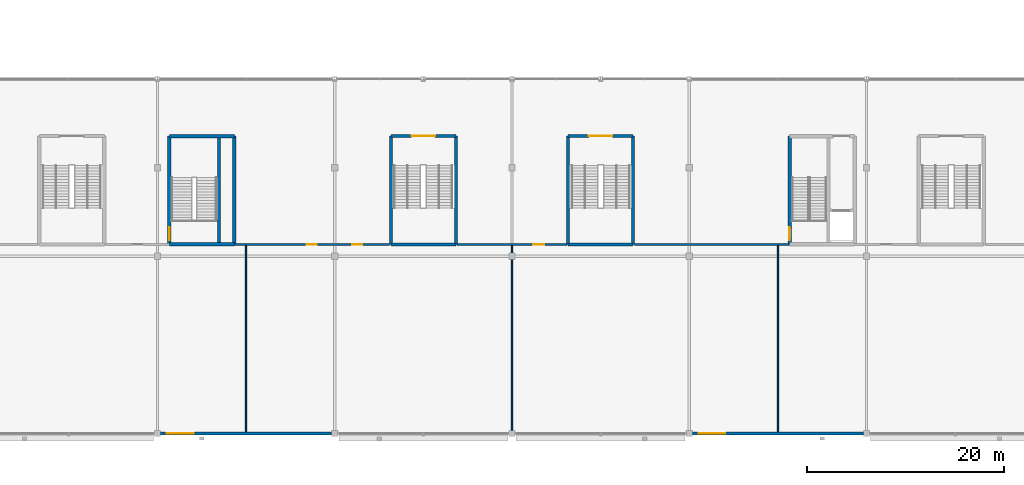
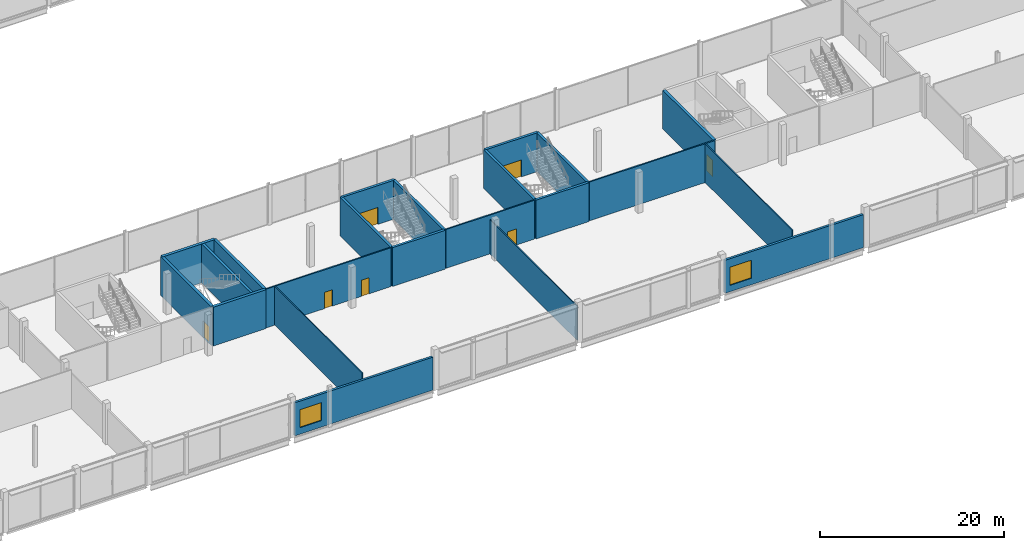
# One storey, part 60 of 111: 22 walls, 7 doors, 2 windows, 9 openings.
"""IFC4 building model written with IfcOpenShell, lengths in metres."""

from ifc_helpers import new_model, si_unit, direction, frame, frame_2d, origin, place, context, subcontext, project, spatial, rectangle, extrude, material, layer, layer_set, type_object, element, fill, save


model = new_model("IFC4")

# Units and contexts
model_context = context("Model", 3, precision=1e-05, world=origin(), true_north=direction((0.0, 1.0)))
body_context = subcontext(model_context, "Body", "Model", "MODEL_VIEW")
ifc_project = project(units=[si_unit("LENGTHUNIT", "METRE"), si_unit("AREAUNIT", "SQUARE_METRE"), si_unit("VOLUMEUNIT", "CUBIC_METRE"), si_unit("PLANEANGLEUNIT", "RADIAN"), si_unit("MASSUNIT", "GRAM", prefix="KILO")], contexts=[model_context])

# Site, building, storey
site_placement = place(None, origin())
site = spatial("IfcSite", under=ifc_project, at=site_placement, CompositionType="ELEMENT")
building_placement = place(site_placement, origin())
building = spatial("IfcBuilding", under=site, at=building_placement, Name="Kisiwana Market Hall", CompositionType="ELEMENT")
storey_placement = place(building_placement, frame((0.0, 0.0, 11.39990234375)))
storey = spatial("IfcBuildingStorey", under=building, at=storey_placement, Name="L02", CompositionType="ELEMENT", Elevation=11.39990234375)

# Walls
ifc_material_1 = material(Name="Concrete C40/50", Category="concrete")
ifc_layer_1 = layer(ifc_material_1, 0.320068359375, Name="Reinforced concrete shaft wall")
ifc_layer_set_1 = layer_set([ifc_layer_1], Name="WL-CORE-320")
wall_type_1 = type_object("IfcWallType", Name="WL-CORE-320", PredefinedType="SHEAR", material=ifc_layer_set_1)
wall_1_placement = place(storey_placement, frame((69.239990234375, 19.3798828125, 0.0), z_axis=(0.0, 0.0, 1.0), x_axis=(0.0, 1.0, 0.0)))
element("IfcWall", 1, at=wall_1_placement, inside=storey, type_object=wall_type_1, Name="Core S1 shaft divider W-0958", PredefinedType="SHEAR", context=body_context, shape_type="SweptSolid", body=[
    extrude(rectangle(XDim=10.64013671875, YDim=0.320068359375, at=frame_2d((5.320068359375, 0.0))), origin(), (0.0, 0.0, 1.0), 5.150146484375),
])
wall_2_placement = place(storey_placement, frame((86.699951171875, 19.199951171875, 0.0), z_axis=(0.0, 0.0, 1.0), x_axis=(1.0, 0.0, 0.0)))
element("IfcWall", 2, at=wall_2_placement, inside=storey, type_object=wall_type_1, Name="Core S4 outer shear wall W-1048", PredefinedType="SHEAR", context=body_context, shape_type="SweptSolid", body=[
    extrude(rectangle(XDim=6.60009765625, YDim=0.320068359375, at=frame_2d((3.300048828125, 0.0))), origin(), (0.0, 0.0, 1.0), 5.150146484375),
])

# Wall, opening, door
wall_3_placement = place(storey_placement, frame((86.699951171875, 30.199951171875, 0.0), z_axis=(0.0, 0.0, 1.0), x_axis=(1.0, 0.0, 0.0)))
wall_3 = element("IfcWall", 3, at=wall_3_placement, inside=storey, type_object=wall_type_1, Name="Core S4 corridor shear wall W-1049", PredefinedType="SHEAR", context=body_context, shape_type="SweptSolid", body=[
    extrude(rectangle(XDim=6.60009765625, YDim=0.320068359375, at=frame_2d((3.300048828125, 0.0))), origin(), (0.0, 0.0, 1.0), 5.150146484375),
])
opening_1_placement = place(wall_3_placement, frame((2.10009765625, 0.0, 0.0)))
opening_1 = element("IfcOpeningElement", 4, at=opening_1_placement, cuts=wall_3, Name="Opening DR-L02-037", PredefinedType="OPENING", context=body_context, shape_type="SweptSolid", body=[
    extrude(rectangle(XDim=2.39990234375, YDim=2.25, at=frame_2d((1.199951171875, 1.125))), frame((0.0, 0.171875, 0.0), z_axis=(0.0, -1.0, 0.0), x_axis=(1.0, 0.0, 0.0)), (0.0, 0.0, 1.0), 0.343994140625),
])
ifc_material_2 = material(Name="Steel S275", Category="steel")
door_type_1 = type_object("IfcDoorType", Name="DR-STAIR-FD120-2400", OperationType="DOUBLE_DOOR_SINGLE_SWING", PredefinedType="DOOR", material=ifc_material_2)
door_1_placement = place(opening_1_placement, frame((2.39990234375, 0.0, 0.0), z_axis=(0.0, 0.0, 1.0), x_axis=(-1.0, 0.0, 0.0)))
door_1 = element("IfcDoor", 5, at=door_1_placement, inside=storey, type_object=door_type_1, Name="Escape Stair S4 Fire Door (L02)", OperationType="DOUBLE_DOOR_SINGLE_SWING", OverallHeight=2.25, OverallWidth=2.39990234375, PredefinedType="DOOR", context=body_context, shape_type="SweptSolid", body=[
    extrude(rectangle(XDim=2.39990234375, YDim=2.25, at=frame_2d((1.199951171875, 1.125))), frame((0.0, 0.02490234375, 0.0), z_axis=(0.0, -1.0, 0.0), x_axis=(1.0, 0.0, 0.0)), (0.0, 0.0, 1.0), 0.050048828125),
])
fill(opening_1, door_1)

# Walls
for number, where, z_axis, x_axis, name in (
    (6, (86.699951171875, 19.199951171875, 0.0), (0.0, 0.0, 1.0), (0.0, 1.0, 0.0), "Core S4 west shear wall W-1050"),
    (7, (93.300048828125, 19.199951171875, 0.0), (0.0, 0.0, 1.0), (0.0, 1.0, 0.0), "Core S4 east shear wall W-1051"),
):
    element("IfcWall", number, at=place(storey_placement, frame(where, z_axis=z_axis, x_axis=x_axis)), inside=storey, type_object=wall_type_1, Name=name, PredefinedType="SHEAR", context=body_context, shape_type="SweptSolid", body=[
        extrude(rectangle(XDim=11.0, YDim=0.320068359375, at=frame_2d((5.5, 0.0))), origin(), (0.0, 0.0, 1.0), 5.150146484375),
    ])
wall_4_placement = place(storey_placement, frame((104.699951171875, 19.199951171875, 0.0), z_axis=(0.0, 0.0, 1.0), x_axis=(1.0, 0.0, 0.0)))
element("IfcWall", 8, at=wall_4_placement, inside=storey, type_object=wall_type_1, Name="Core S5 outer shear wall W-1056", PredefinedType="SHEAR", context=body_context, shape_type="SweptSolid", body=[
    extrude(rectangle(XDim=6.60009765625, YDim=0.320068359375, at=frame_2d((3.300048828125, 0.0))), origin(), (0.0, 0.0, 1.0), 5.150146484375),
])

# Wall, opening, door
wall_5_placement = place(storey_placement, frame((104.699951171875, 30.199951171875, 0.0), z_axis=(0.0, 0.0, 1.0), x_axis=(1.0, 0.0, 0.0)))
wall_5 = element("IfcWall", 9, at=wall_5_placement, inside=storey, type_object=wall_type_1, Name="Core S5 corridor shear wall W-1057", PredefinedType="SHEAR", context=body_context, shape_type="SweptSolid", body=[
    extrude(rectangle(XDim=6.60009765625, YDim=0.320068359375, at=frame_2d((3.300048828125, 0.0))), origin(), (0.0, 0.0, 1.0), 5.150146484375),
])
opening_2_placement = place(wall_5_placement, frame((2.10009765625, 0.0, 0.0)))
opening_2 = element("IfcOpeningElement", 10, at=opening_2_placement, cuts=wall_5, Name="Opening DR-L02-039", PredefinedType="OPENING", context=body_context, shape_type="SweptSolid", body=[
    extrude(rectangle(XDim=2.39990234375, YDim=2.25, at=frame_2d((1.199951171875, 1.125))), frame((0.0, 0.171875, 0.0), z_axis=(0.0, -1.0, 0.0), x_axis=(1.0, 0.0, 0.0)), (0.0, 0.0, 1.0), 0.343994140625),
])
door_2_placement = place(opening_2_placement, frame((2.39990234375, 0.0, 0.0), z_axis=(0.0, 0.0, 1.0), x_axis=(-1.0, 0.0, 0.0)))
door_2 = element("IfcDoor", 11, at=door_2_placement, inside=storey, type_object=door_type_1, Name="Escape Stair S5 Fire Door (L02)", OperationType="DOUBLE_DOOR_SINGLE_SWING", OverallHeight=2.25, OverallWidth=2.39990234375, PredefinedType="DOOR", context=body_context, shape_type="SweptSolid", body=[
    extrude(rectangle(XDim=2.39990234375, YDim=2.25, at=frame_2d((1.199951171875, 1.125))), frame((0.0, 0.02490234375, 0.0), z_axis=(0.0, -1.0, 0.0), x_axis=(1.0, 0.0, 0.0)), (0.0, 0.0, 1.0), 0.050048828125),
])
fill(opening_2, door_2)

# Walls
for number, where, z_axis, x_axis, name in (
    (12, (104.699951171875, 19.199951171875, 0.0), (0.0, 0.0, 1.0), (0.0, 1.0, 0.0), "Core S5 west shear wall W-1058"),
    (13, (111.300048828125, 19.199951171875, 0.0), (0.0, 0.0, 1.0), (0.0, 1.0, 0.0), "Core S5 east shear wall W-1059"),
):
    element("IfcWall", number, at=place(storey_placement, frame(where, z_axis=z_axis, x_axis=x_axis)), inside=storey, type_object=wall_type_1, Name=name, PredefinedType="SHEAR", context=body_context, shape_type="SweptSolid", body=[
        extrude(rectangle(XDim=11.0, YDim=0.320068359375, at=frame_2d((5.5, 0.0))), origin(), (0.0, 0.0, 1.0), 5.150146484375),
    ])
ifc_material_3 = material(Name="Concrete C40/50", Category="concrete")
ifc_layer_2 = layer(ifc_material_3, 0.360107421875, Name="Reinforced concrete core wall")
ifc_layer_set_2 = layer_set([ifc_layer_2], Name="WL-CORE-360")
wall_type_2 = type_object("IfcWallType", Name="WL-CORE-360", PredefinedType="SHEAR", material=ifc_layer_set_2)
for number, where, z_axis, x_axis, name in (
    (14, (64.199951171875, 19.199951171875, 0.0), (0.0, 0.0, 1.0), (1.0, 0.0, 0.0), "Core S1 south wall W-0954"),
    (15, (64.199951171875, 30.199951171875, 0.0), (0.0, 0.0, 1.0), (1.0, 0.0, 0.0), "Core S1 north wall W-0955"),
):
    element("IfcWall", number, at=place(storey_placement, frame(where, z_axis=z_axis, x_axis=x_axis)), inside=storey, type_object=wall_type_2, Name=name, PredefinedType="SHEAR", context=body_context, shape_type="SweptSolid", body=[
        extrude(rectangle(XDim=6.60009765625, YDim=0.360107421875, at=frame_2d((3.300048828125, 0.0))), origin(), (0.0, 0.0, 1.0), 5.150146484375),
    ])

# Wall, opening, door
wall_6_placement = place(storey_placement, frame((64.199951171875, 19.199951171875, 0.0), z_axis=(0.0, 0.0, 1.0), x_axis=(0.0, 1.0, 0.0)))
wall_6 = element("IfcWall", 16, at=wall_6_placement, inside=storey, type_object=wall_type_2, Name="Core S1 west wall W-0956", PredefinedType="SHEAR", context=body_context, shape_type="SweptSolid", body=[
    extrude(rectangle(XDim=11.0, YDim=0.360107421875, at=frame_2d((5.5, 0.0))), origin(), (0.0, 0.0, 1.0), 5.150146484375),
])
opening_3_placement = place(wall_6_placement, frame((0.449951171875, 0.0, 0.0)))
opening_3 = element("IfcOpeningElement", 17, at=opening_3_placement, cuts=wall_6, Name="Opening DR-L02-013", PredefinedType="OPENING", context=body_context, shape_type="SweptSolid", body=[
    extrude(rectangle(XDim=1.300048828125, YDim=2.199951171875, at=frame_2d((0.64990234375, 1.10009765625))), frame((0.0, 0.19189453125, 0.0), z_axis=(0.0, -1.0, 0.0), x_axis=(1.0, 0.0, 0.0)), (0.0, 0.0, 1.0), 0.384033203125),
])
ifc_material_4 = material(Name="Steel S275", Category="steel")
door_type_2 = type_object("IfcDoorType", Name="DR-STAIR-FD120-1300", OperationType="NOTDEFINED", PredefinedType="DOOR", material=ifc_material_4)
door_3_placement = place(opening_3_placement, origin())
door_3 = element("IfcDoor", 18, at=door_3_placement, inside=storey, type_object=door_type_2, Name="Podium Escape Stair S1 Fire Door (L02)", OperationType="SINGLE_SWING_LEFT", OverallHeight=2.199951171875, OverallWidth=1.300048828125, PredefinedType="DOOR", context=body_context, shape_type="SweptSolid", body=[
    extrude(rectangle(XDim=1.300048828125, YDim=2.199951171875, at=frame_2d((0.64990234375, 1.10009765625))), frame((0.0, 0.02490234375, 0.0), z_axis=(0.0, -1.0, 0.0), x_axis=(1.0, 0.0, 0.0)), (0.0, 0.0, 1.0), 0.050048828125),
])
fill(opening_3, door_3)

# Wall
wall_7_placement = place(storey_placement, frame((70.800048828125, 19.199951171875, 0.0), z_axis=(0.0, 0.0, 1.0), x_axis=(0.0, 1.0, 0.0)))
element("IfcWall", 19, at=wall_7_placement, inside=storey, type_object=wall_type_2, Name="Core S1 east wall W-0957", PredefinedType="SHEAR", context=body_context, shape_type="SweptSolid", body=[
    extrude(rectangle(XDim=11.0, YDim=0.360107421875, at=frame_2d((5.5, 0.0))), origin(), (0.0, 0.0, 1.0), 5.150146484375),
])

# Wall, opening, door
wall_8_placement = place(storey_placement, frame((127.199951171875, 19.199951171875, 0.0), z_axis=(0.0, 0.0, 1.0), x_axis=(0.0, 1.0, 0.0)))
wall_8 = element("IfcWall", 20, at=wall_8_placement, inside=storey, type_object=wall_type_2, Name="Core S2 west wall W-0961", PredefinedType="SHEAR", context=body_context, shape_type="SweptSolid", body=[
    extrude(rectangle(XDim=11.0, YDim=0.360107421875, at=frame_2d((5.5, 0.0))), origin(), (0.0, 0.0, 1.0), 5.150146484375),
])
opening_4_placement = place(wall_8_placement, frame((0.449951171875, 0.0, 0.0)))
opening_4 = element("IfcOpeningElement", 21, at=opening_4_placement, cuts=wall_8, Name="Opening DR-L02-014", PredefinedType="OPENING", context=body_context, shape_type="SweptSolid", body=[
    extrude(rectangle(XDim=1.300048828125, YDim=2.199951171875, at=frame_2d((0.64990234375, 1.10009765625))), frame((0.0, 0.19189453125, 0.0), z_axis=(0.0, -1.0, 0.0), x_axis=(1.0, 0.0, 0.0)), (0.0, 0.0, 1.0), 0.384033203125),
])
door_4_placement = place(opening_4_placement, origin())
door_4 = element("IfcDoor", 22, at=door_4_placement, inside=storey, type_object=door_type_2, Name="Podium Escape Stair S2 Fire Door (L02)", OperationType="SINGLE_SWING_LEFT", OverallHeight=2.199951171875, OverallWidth=1.300048828125, PredefinedType="DOOR", context=body_context, shape_type="SweptSolid", body=[
    extrude(rectangle(XDim=1.300048828125, YDim=2.199951171875, at=frame_2d((0.64990234375, 1.10009765625))), frame((0.0, 0.02490234375, 0.0), z_axis=(0.0, -1.0, 0.0), x_axis=(1.0, 0.0, 0.0)), (0.0, 0.0, 1.0), 0.050048828125),
])
fill(opening_4, door_4)

# Wall, openings, doors
ifc_material_5 = material(Name="Masonry blockwork", Category="masonry")
ifc_layer_3 = layer(ifc_material_5, 0.169921875, Name="Protected corridor partition")
ifc_layer_set_3 = layer_set([ifc_layer_3], Name="WL-CORR-170")
wall_type_3 = type_object("IfcWallType", Name="WL-CORR-170", PredefinedType="PARTITIONING", material=ifc_layer_set_3)
wall_9_placement = place(storey_placement, frame((70.800048828125, 19.199951171875, 0.0), z_axis=(0.0, 0.0, 1.0), x_axis=(1.0, 0.0, 0.0)))
wall_9 = element("IfcWall", 23, at=wall_9_placement, inside=storey, type_object=wall_type_3, Name="Interior partition W-1172", PredefinedType="PARTITIONING", context=body_context, shape_type="SweptSolid", body=[
    extrude(rectangle(XDim=15.739990234375, YDim=0.169921875, at=frame_2d((7.8701171875, 0.0))), origin(), (0.0, 0.0, 1.0), 5.150146484375),
])
opening_5_placement = place(wall_9_placement, frame((12.0, 0.0, 0.0)))
opening_5 = element("IfcOpeningElement", 24, at=opening_5_placement, cuts=wall_9, Name="Opening DR-L02-088", PredefinedType="OPENING", context=body_context, shape_type="SweptSolid", body=[
    extrude(rectangle(XDim=1.0, YDim=2.14990234375, at=frame_2d((0.5, 1.074951171875))), frame((0.0, 0.096923828125, 0.0), z_axis=(0.0, -1.0, 0.0), x_axis=(1.0, 0.0, 0.0)), (0.0, 0.0, 1.0), 0.19384765625),
])
opening_6_placement = place(wall_9_placement, frame((7.3701171875, 0.0, 0.0)))
opening_6 = element("IfcOpeningElement", 25, at=opening_6_placement, cuts=wall_9, Name="Opening DR-L02-089", PredefinedType="OPENING", context=body_context, shape_type="SweptSolid", body=[
    extrude(rectangle(XDim=1.0, YDim=2.14990234375, at=frame_2d((0.5, 1.074951171875))), frame((0.0, 0.096923828125, 0.0), z_axis=(0.0, -1.0, 0.0), x_axis=(1.0, 0.0, 0.0)), (0.0, 0.0, 1.0), 0.19384765625),
])
ifc_material_6 = material(Name="Aluminium alloy 6063-T6", Category="aluminium")
door_type_3 = type_object("IfcDoorType", Name="DR-OFF-1000", OperationType="NOTDEFINED", PredefinedType="DOOR", material=ifc_material_6)
door_5_placement = place(opening_5_placement, origin())
door_5 = element("IfcDoor", 26, at=door_5_placement, inside=storey, type_object=door_type_3, Name="L02 Guild S2 Door", OperationType="SINGLE_SWING_RIGHT", OverallHeight=2.14990234375, OverallWidth=1.0, PredefinedType="DOOR", context=body_context, shape_type="SweptSolid", body=[
    extrude(rectangle(XDim=1.0, YDim=2.14990234375, at=frame_2d((0.5, 1.074951171875))), frame((0.0, 0.02490234375, 0.0), z_axis=(0.0, -1.0, 0.0), x_axis=(1.0, 0.0, 0.0)), (0.0, 0.0, 1.0), 0.050048828125),
])
fill(opening_5, door_5)
door_6_placement = place(opening_6_placement, origin())
door_6 = element("IfcDoor", 27, at=door_6_placement, inside=storey, type_object=door_type_3, Name="L02 Guild S3 Door", OperationType="SINGLE_SWING_RIGHT", OverallHeight=2.14990234375, OverallWidth=1.0, PredefinedType="DOOR", context=body_context, shape_type="SweptSolid", body=[
    extrude(rectangle(XDim=1.0, YDim=2.14990234375, at=frame_2d((0.5, 1.074951171875))), frame((0.0, 0.02490234375, 0.0), z_axis=(0.0, -1.0, 0.0), x_axis=(1.0, 0.0, 0.0)), (0.0, 0.0, 1.0), 0.050048828125),
])
fill(opening_6, door_6)

# Wall, opening, door
wall_10_placement = place(storey_placement, frame((93.4599609375, 19.199951171875, 0.0), z_axis=(0.0, 0.0, 1.0), x_axis=(1.0, 0.0, 0.0)))
wall_10 = element("IfcWall", 28, at=wall_10_placement, inside=storey, type_object=wall_type_3, Name="Interior partition W-1173", PredefinedType="PARTITIONING", context=body_context, shape_type="SweptSolid", body=[
    extrude(rectangle(XDim=11.080078125, YDim=0.169921875, at=frame_2d((5.5400390625, 0.0))), origin(), (0.0, 0.0, 1.0), 5.150146484375),
])
opening_7_placement = place(wall_10_placement, frame((7.68994140625, 0.0, 0.0)))
opening_7 = element("IfcOpeningElement", 29, at=opening_7_placement, cuts=wall_10, Name="Opening DR-L02-090", PredefinedType="OPENING", context=body_context, shape_type="SweptSolid", body=[
    extrude(rectangle(XDim=1.14990234375, YDim=2.14990234375, at=frame_2d((0.574951171875, 1.074951171875))), frame((0.0, 0.096923828125, 0.0), z_axis=(0.0, -1.0, 0.0), x_axis=(1.0, 0.0, 0.0)), (0.0, 0.0, 1.0), 0.19384765625),
])
ifc_material_7 = material(Name="Aluminium alloy 6063-T6", Category="aluminium")
door_type_4 = type_object("IfcDoorType", Name="DR-MEET-1150", OperationType="NOTDEFINED", PredefinedType="DOOR", material=ifc_material_7)
door_7_placement = place(opening_7_placement, origin())
door_7 = element("IfcDoor", 30, at=door_7_placement, inside=storey, type_object=door_type_4, Name="L02 E Trade Guild Office S3 Door", OperationType="SINGLE_SWING_RIGHT", OverallHeight=2.14990234375, OverallWidth=1.14990234375, PredefinedType="DOOR", context=body_context, shape_type="SweptSolid", body=[
    extrude(rectangle(XDim=1.14990234375, YDim=2.14990234375, at=frame_2d((0.574951171875, 1.074951171875))), frame((0.0, 0.02490234375, 0.0), z_axis=(0.0, -1.0, 0.0), x_axis=(1.0, 0.0, 0.0)), (0.0, 0.0, 1.0), 0.050048828125),
])
fill(opening_7, door_7)

# Wall
wall_11_placement = place(storey_placement, frame((111.4599609375, 19.199951171875, 0.0), z_axis=(0.0, 0.0, 1.0), x_axis=(1.0, 0.0, 0.0)))
element("IfcWall", 31, at=wall_11_placement, inside=storey, type_object=wall_type_3, Name="Interior partition W-1174", PredefinedType="PARTITIONING", context=body_context, shape_type="SweptSolid", body=[
    extrude(rectangle(XDim=15.739990234375, YDim=0.169921875, at=frame_2d((7.8701171875, 0.0))), origin(), (0.0, 0.0, 1.0), 5.150146484375),
])

# Wall, opening, window
ifc_material_8 = material(Name="Masonry blockwork", Category="masonry")
ifc_layer_4 = layer(ifc_material_8, 0.139892578125, Name="Rendered masonry outer leaf")
ifc_material_9 = material(Name="Mineral wool insulation")
ifc_layer_5 = layer(ifc_material_9, 0.074951171875, Name="Mineral wool cavity insulation")
ifc_material_10 = material(Name="Gypsum plasterboard")
ifc_layer_6 = layer(ifc_material_10, 0.074951171875, Name="Calcium silicate inner lining")
ifc_layer_set_4 = layer_set([ifc_layer_4, ifc_layer_5, ifc_layer_6], Name="WL-EXT-MAS-290")
wall_type_4 = type_object("IfcWallType", Name="WL-EXT-MAS-290", PredefinedType="STANDARD", material=ifc_layer_set_4)
wall_12_placement = place(storey_placement, frame((63.31689453125, 0.0, 0.0), z_axis=(0.0, 0.0, 1.0), x_axis=(1.0, 0.0, 0.0)))
wall_12 = element("IfcWall", 32, at=wall_12_placement, inside=storey, type_object=wall_type_4, Name="Exterior wall W-1073", PredefinedType="STANDARD", context=body_context, shape_type="SweptSolid", body=[
    extrude(rectangle(XDim=17.3662109375, YDim=0.2900390625, at=frame_2d((8.68310546875, 0.0))), origin(), (0.0, 0.0, 1.0), 4.3798828125),
])
opening_8_placement = place(wall_12_placement, frame((0.64990234375, 0.0, 0.85009765625)))
opening_8 = element("IfcOpeningElement", 33, at=opening_8_placement, cuts=wall_12, Name="Opening WN-10", PredefinedType="OPENING", context=body_context, shape_type="SweptSolid", body=[
    extrude(rectangle(XDim=2.699951171875, YDim=2.39990234375, at=frame_2d((1.35009765625, 1.199951171875))), frame((0.0, 0.156982421875, 0.0), z_axis=(0.0, -1.0, 0.0), x_axis=(1.0, 0.0, 0.0)), (0.0, 0.0, 1.0), 0.31396484375),
])
ifc_material_11 = material(Name="Double-glazed solar-control low-E IGU", Category="glass")
window_type = type_object("IfcWindowType", Name="WN-GLD-2700x2400", PartitioningType="SINGLE_PANEL", PredefinedType="WINDOW", material=ifc_material_11)
window_1_placement = place(opening_8_placement, origin())
window_1 = element("IfcWindow", 34, at=window_1_placement, inside=storey, type_object=window_type, Name="Exterior window WN-030", OverallHeight=2.39990234375, OverallWidth=2.699951171875, PartitioningType="SINGLE_PANEL", PredefinedType="WINDOW", context=body_context, shape_type="SweptSolid", body=[
    extrude(rectangle(XDim=2.699951171875, YDim=2.39990234375, at=frame_2d((1.35009765625, 1.199951171875))), frame((0.0, 0.030029296875, 0.0), z_axis=(0.0, -1.0, 0.0), x_axis=(1.0, 0.0, 0.0)), (0.0, 0.0, 1.0), 0.06005859375),
])
fill(opening_8, window_1)

wall_13_placement = place(storey_placement, frame((117.31689453125, 0.0, 0.0), z_axis=(0.0, 0.0, 1.0), x_axis=(1.0, 0.0, 0.0)))
wall_13 = element("IfcWall", 35, at=wall_13_placement, inside=storey, type_object=wall_type_4, Name="Exterior wall W-1074", PredefinedType="STANDARD", context=body_context, shape_type="SweptSolid", body=[
    extrude(rectangle(XDim=17.3662109375, YDim=0.2900390625, at=frame_2d((8.68310546875, 0.0))), origin(), (0.0, 0.0, 1.0), 4.3798828125),
])
opening_9_placement = place(wall_13_placement, frame((0.64990234375, 0.0, 0.85009765625)))
opening_9 = element("IfcOpeningElement", 36, at=opening_9_placement, cuts=wall_13, Name="Opening WN-10", PredefinedType="OPENING", context=body_context, shape_type="SweptSolid", body=[
    extrude(rectangle(XDim=2.699951171875, YDim=2.39990234375, at=frame_2d((1.35009765625, 1.199951171875))), frame((0.0, 0.156982421875, 0.0), z_axis=(0.0, -1.0, 0.0), x_axis=(1.0, 0.0, 0.0)), (0.0, 0.0, 1.0), 0.31396484375),
])
window_2_placement = place(opening_9_placement, origin())
window_2 = element("IfcWindow", 37, at=window_2_placement, inside=storey, type_object=window_type, Name="Exterior window WN-031", OverallHeight=2.39990234375, OverallWidth=2.699951171875, PartitioningType="SINGLE_PANEL", PredefinedType="WINDOW", context=body_context, shape_type="SweptSolid", body=[
    extrude(rectangle(XDim=2.699951171875, YDim=2.39990234375, at=frame_2d((1.35009765625, 1.199951171875))), frame((0.0, 0.030029296875, 0.0), z_axis=(0.0, -1.0, 0.0), x_axis=(1.0, 0.0, 0.0)), (0.0, 0.0, 1.0), 0.06005859375),
])
fill(opening_9, window_2)

# Walls
ifc_material_12 = material(Name="Gypsum plasterboard")
ifc_layer_7 = layer(ifc_material_12, 0.125, Name="Double gypsum board + acoustic stud")
ifc_layer_set_5 = layer_set([ifc_layer_7], Name="WL-OFF-125")
wall_type_5 = type_object("IfcWallType", Name="WL-OFF-125", PredefinedType="PARTITIONING", material=ifc_layer_set_5)
wall_14_placement = place(storey_placement, frame((72.0, 0.1826171875, 0.0), z_axis=(0.0, 0.0, 1.0), x_axis=(0.0, 1.0, 0.0)))
element("IfcWall", 38, at=wall_14_placement, inside=storey, type_object=wall_type_5, Name="Interior partition W-1164", PredefinedType="PARTITIONING", context=body_context, shape_type="SweptSolid", body=[
    extrude(rectangle(XDim=18.932373046875, YDim=0.125, at=frame_2d((9.46630859375, 0.0))), origin(), (0.0, 0.0, 1.0), 5.150146484375),
])
wall_15_placement = place(storey_placement, frame((99.0, 0.1826171875, 0.0), z_axis=(0.0, 0.0, 1.0), x_axis=(0.0, 1.0, 0.0)))
element("IfcWall", 39, at=wall_15_placement, inside=storey, type_object=wall_type_5, Name="Interior partition W-1166", PredefinedType="PARTITIONING", context=body_context, shape_type="SweptSolid", body=[
    extrude(rectangle(XDim=18.932373046875, YDim=0.125, at=frame_2d((9.46630859375, 0.0))), origin(), (0.0, 0.0, 1.0), 4.52978515625),
])
wall_16_placement = place(storey_placement, frame((126.0, 0.1826171875, 0.0), z_axis=(0.0, 0.0, 1.0), x_axis=(0.0, 1.0, 0.0)))
element("IfcWall", 40, at=wall_16_placement, inside=storey, type_object=wall_type_5, Name="Interior partition W-1168", PredefinedType="PARTITIONING", context=body_context, shape_type="SweptSolid", body=[
    extrude(rectangle(XDim=18.932373046875, YDim=0.125, at=frame_2d((9.46630859375, 0.0))), origin(), (0.0, 0.0, 1.0), 5.150146484375),
])

save(model, "model.ifc")
